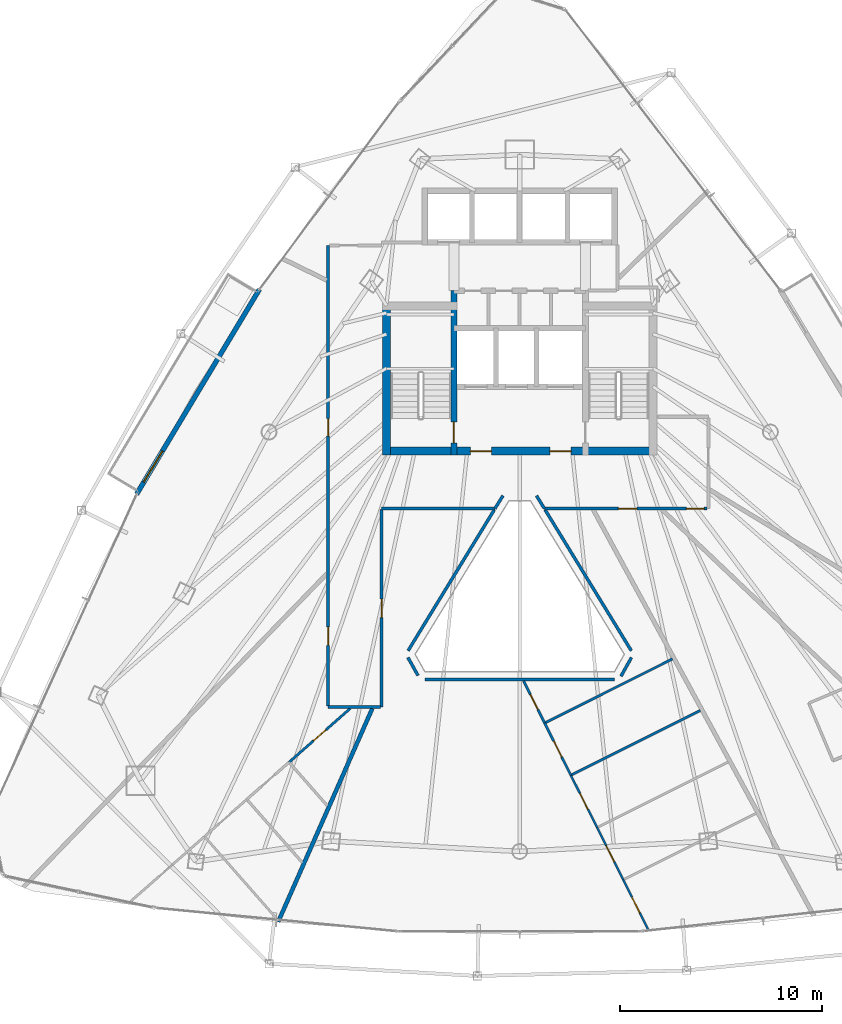
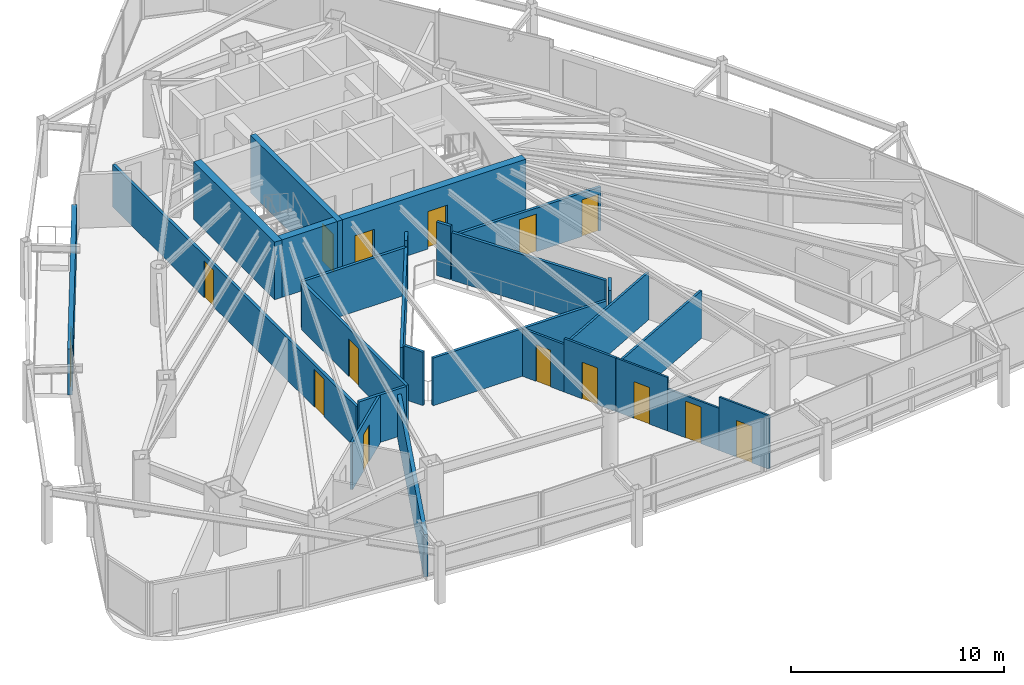
# One storey, part 26 of 31: 25 walls, 15 doors, 15 openings.
"""IFC4 building model written with IfcOpenShell, lengths in metres."""

from ifc_helpers import new_model, si_unit, direction, frame, frame_2d, origin, place, context, subcontext, project, spatial, rectangle, extrude, material, layer, layer_set, type_object, element, fill, save


model = new_model("IFC4")

# Units and contexts
model_context = context("Model", 3, precision=1e-05, world=origin(), true_north=direction((0.0, 1.0)))
body_context = subcontext(model_context, "Body", "Model", "MODEL_VIEW")
ifc_project = project(units=[si_unit("LENGTHUNIT", "METRE"), si_unit("AREAUNIT", "SQUARE_METRE"), si_unit("VOLUMEUNIT", "CUBIC_METRE"), si_unit("PLANEANGLEUNIT", "RADIAN"), si_unit("MASSUNIT", "GRAM", prefix="KILO")], contexts=[model_context])

# Site, building, storey
site_placement = place(None, origin())
site = spatial("IfcSite", under=ifc_project, at=site_placement, CompositionType="ELEMENT")
building_placement = place(site_placement, origin())
building = spatial("IfcBuilding", under=site, at=building_placement, Name="Orvanel Arch Residences", CompositionType="ELEMENT")
storey_placement = place(building_placement, frame((0.0, 0.0, 106.699951171875)))
storey = spatial("IfcBuildingStorey", under=building, at=storey_placement, Name="L29", CompositionType="ELEMENT", Elevation=106.699951171875)

# Wall, opening, door
ifc_material_1 = material(Name="Precast concrete N50 (50 MPa)", Category="concrete")
ifc_layer_1 = layer(ifc_material_1, 0.239990234375)
ifc_layer_set_1 = layer_set([ifc_layer_1], Name="Precast concrete N50 (50 MPa)")
wall_type_1 = type_object("IfcWallType", Name="EW-BAL-240", PredefinedType="SOLIDWALL", material=ifc_layer_set_1)
wall_1_placement = place(storey_placement, frame((20.094970703125, 34.718017578125, 0.0), z_axis=(0.0, 0.0, 1.0), x_axis=(-0.514362369366, -0.857572943242, 0.0)))
wall_1 = element("IfcWall", 1, at=wall_1_placement, inside=storey, type_object=wall_type_1, Name="L29 Balcony Threshold Wall Face 1", PredefinedType="SOLIDWALL", context=body_context, shape_type="SweptSolid", body=[
    extrude(rectangle(XDim=11.84375, YDim=0.239990234375, at=frame_2d((5.921875, 0.0))), origin(), (0.0, 0.0, 1.0), 2.6240234375),
])
opening_1_placement = place(wall_1_placement, frame((9.345947265625, 0.0, 0.0)))
opening_1 = element("IfcOpeningElement", 2, at=opening_1_placement, cuts=wall_1, Name="Opening DB-180", PredefinedType="OPENING", context=body_context, shape_type="SweptSolid", body=[
    extrude(rectangle(XDim=1.800048828125, YDim=2.199951171875, at=frame_2d((0.89990234375, 1.10009765625))), frame((0.0, 0.1298828125, 0.0), z_axis=(0.0, -1.0, 0.0), x_axis=(1.0, 0.0, 0.0)), (0.0, 0.0, 1.0), 0.260009765625),
])
ifc_material_2 = material(Name="Bronze-anodised aluminium AA6063-T6", Category="aluminium")
door_type_1 = type_object("IfcDoorType", Name="DR-BAL-1800", OperationType="NOTDEFINED", PredefinedType="DOOR", material=ifc_material_2)
door_1_placement = place(opening_1_placement, origin())
door_1 = element("IfcDoor", 3, at=door_1_placement, inside=storey, type_object=door_type_1, Name="DR-L29-BAL-F1 L29 Planted Balcony Access Door Face 1", OperationType="SINGLE_SWING_RIGHT", OverallHeight=2.199951171875, OverallWidth=1.800048828125, PredefinedType="DOOR", context=body_context, shape_type="SweptSolid", body=[
    extrude(rectangle(XDim=1.800048828125, YDim=2.199951171875, at=frame_2d((0.89990234375, 1.10009765625))), frame((0.0, 0.02490234375, 0.0), z_axis=(0.0, -1.0, 0.0), x_axis=(1.0, 0.0, 0.0)), (0.0, 0.0, 1.0), 0.050048828125),
])
fill(opening_1, door_1)

ifc_material_3 = material(Name="Concrete S65 (65 MPa)", Category="concrete")
ifc_layer_2 = layer(ifc_material_3, 0.280029296875)
ifc_layer_set_2 = layer_set([ifc_layer_2], Name="Concrete S65 (65 MPa)")
wall_type_2 = type_object("IfcWallType", Name="SW-CORE-280", PredefinedType="SHEAR", material=ifc_layer_set_2)
wall_2_placement = place(storey_placement, frame((29.739990234375, 26.5, 0.0), z_axis=(0.0, 0.0, 1.0), x_axis=(0.0, 1.0, 0.0)))
wall_2 = element("IfcWall", 4, at=wall_2_placement, inside=storey, type_object=wall_type_2, Name="L29 West Inner Core Spine Shear Wall", PredefinedType="SHEAR", context=body_context, shape_type="SweptSolid", body=[
    extrude(rectangle(XDim=8.14990234375, YDim=0.280029296875, at=frame_2d((4.074951171875, 0.0))), origin(), (0.0, 0.0, 1.0), 3.300048828125),
])
opening_2_placement = place(wall_2_placement, frame((0.60009765625, 0.0, 0.0)))
opening_2 = element("IfcOpeningElement", 5, at=opening_2_placement, cuts=wall_2, Name="Opening DF-120", PredefinedType="OPENING", context=body_context, shape_type="SweptSolid", body=[
    extrude(rectangle(XDim=1.050048828125, YDim=2.14990234375, at=frame_2d((0.52490234375, 1.074951171875))), frame((0.0, 0.14990234375, 0.0), z_axis=(0.0, -1.0, 0.0), x_axis=(1.0, 0.0, 0.0)), (0.0, 0.0, 1.0), 0.300048828125),
])
ifc_material_4 = material(Name="Galvanised steel fire-resisting door assembly", Category="steel")
door_type_2 = type_object("IfcDoorType", Name="DR-FD120-1050", OperationType="NOTDEFINED", PredefinedType="DOOR", material=ifc_material_4)
door_2_placement = place(opening_2_placement, origin())
door_2 = element("IfcDoor", 6, at=door_2_placement, inside=storey, type_object=door_type_2, Name="DR-L29-ST1 L29 Stair 1 Fire Door", OperationType="SINGLE_SWING_LEFT", OverallHeight=2.14990234375, OverallWidth=1.050048828125, PredefinedType="DOOR", context=body_context, shape_type="SweptSolid", body=[
    extrude(rectangle(XDim=1.050048828125, YDim=2.14990234375, at=frame_2d((0.52490234375, 1.074951171875))), frame((0.0, 0.02490234375, 0.0), z_axis=(0.0, -1.0, 0.0), x_axis=(1.0, 0.0, 0.0)), (0.0, 0.0, 1.0), 0.050048828125),
])
fill(opening_2, door_2)

# Wall, openings, doors
ifc_layer_3 = layer(ifc_material_3, 0.39990234375)
ifc_layer_set_3 = layer_set([ifc_layer_3], Name="Concrete S65 (65 MPa)")
wall_type_3 = type_object("IfcWallType", Name="SW-CORE-400", PredefinedType="SHEAR", material=ifc_layer_set_3)
wall_3_placement = place(storey_placement, frame((26.199951171875, 26.699951171875, 0.0), z_axis=(0.0, 0.0, 1.0), x_axis=(1.0, 0.0, 0.0)))
wall_3 = element("IfcWall", 7, at=wall_3_placement, inside=storey, type_object=wall_type_3, Name="L29 South Core Shear Wall", PredefinedType="SHEAR", context=body_context, shape_type="SweptSolid", body=[
    extrude(rectangle(XDim=13.60009765625, YDim=0.39990234375, at=frame_2d((6.800048828125, 0.0))), origin(), (0.0, 0.0, 1.0), 3.300048828125),
])
opening_3_placement = place(wall_3_placement, frame((4.35009765625, 0.0, 0.0)))
opening_3 = element("IfcOpeningElement", 8, at=opening_3_placement, cuts=wall_3, Name="Opening DF-060", PredefinedType="OPENING", context=body_context, shape_type="SweptSolid", body=[
    extrude(rectangle(XDim=1.050048828125, YDim=2.14990234375, at=frame_2d((0.52490234375, 1.074951171875))), frame((0.0, 0.2099609375, 0.0), z_axis=(0.0, -1.0, 0.0), x_axis=(1.0, 0.0, 0.0)), (0.0, 0.0, 1.0), 0.419921875),
])
opening_4_placement = place(wall_3_placement, frame((8.300048828125, 0.0, 0.0)))
opening_4 = element("IfcOpeningElement", 9, at=opening_4_placement, cuts=wall_3, Name="Opening DF-060", PredefinedType="OPENING", context=body_context, shape_type="SweptSolid", body=[
    extrude(rectangle(XDim=1.050048828125, YDim=2.14990234375, at=frame_2d((0.52490234375, 1.074951171875))), frame((0.0, 0.2099609375, 0.0), z_axis=(0.0, -1.0, 0.0), x_axis=(1.0, 0.0, 0.0)), (0.0, 0.0, 1.0), 0.419921875),
])
door_type_3 = type_object("IfcDoorType", Name="DR-FD60-1050", OperationType="NOTDEFINED", PredefinedType="DOOR", material=ifc_material_4)
door_3_placement = place(opening_3_placement, origin())
door_3 = element("IfcDoor", 10, at=door_3_placement, inside=storey, type_object=door_type_3, Name="DR-L29-FFL-W L29 West Smoke Lobby Door", OperationType="SINGLE_SWING_LEFT", OverallHeight=2.14990234375, OverallWidth=1.050048828125, PredefinedType="DOOR", context=body_context, shape_type="SweptSolid", body=[
    extrude(rectangle(XDim=1.050048828125, YDim=2.14990234375, at=frame_2d((0.52490234375, 1.074951171875))), frame((0.0, 0.02490234375, 0.0), z_axis=(0.0, -1.0, 0.0), x_axis=(1.0, 0.0, 0.0)), (0.0, 0.0, 1.0), 0.050048828125),
])
fill(opening_3, door_3)
door_4_placement = place(opening_4_placement, origin())
door_4 = element("IfcDoor", 11, at=door_4_placement, inside=storey, type_object=door_type_3, Name="DR-L29-FFL-E L29 East Smoke Lobby Door", OperationType="SINGLE_SWING_RIGHT", OverallHeight=2.14990234375, OverallWidth=1.050048828125, PredefinedType="DOOR", context=body_context, shape_type="SweptSolid", body=[
    extrude(rectangle(XDim=1.050048828125, YDim=2.14990234375, at=frame_2d((0.52490234375, 1.074951171875))), frame((0.0, 0.02490234375, 0.0), z_axis=(0.0, -1.0, 0.0), x_axis=(1.0, 0.0, 0.0)), (0.0, 0.0, 1.0), 0.050048828125),
])
fill(opening_4, door_4)

# Walls
wall_4_placement = place(storey_placement, frame((26.39990234375, 26.5, 0.0), z_axis=(0.0, 0.0, 1.0), x_axis=(0.0, 1.0, 0.0)))
element("IfcWall", 12, at=wall_4_placement, inside=storey, type_object=wall_type_3, Name="L29 West Stair Shear Wall", PredefinedType="SHEAR", context=body_context, shape_type="SweptSolid", body=[
    extrude(rectangle(XDim=7.60009765625, YDim=0.39990234375, at=frame_2d((3.800048828125, 0.0))), origin(), (0.0, 0.0, 1.0), 3.300048828125),
])
ifc_material_5 = material(Name="Fire-rated plasterboard lined steel stud partition", Category="steel")
ifc_layer_4 = layer(ifc_material_5, 0.14990234375)
ifc_layer_set_4 = layer_set([ifc_layer_4], Name="Fire-rated plasterboard lined steel stud partition")
wall_type_4 = type_object("IfcWallType", Name="W-COR-150", PredefinedType="PARTITIONING", material=ifc_layer_set_4)
wall_5_placement = place(storey_placement, frame((32.169921875, 24.487060546875, 0.0), z_axis=(0.0, 0.0, 1.0), x_axis=(-0.527038486816, -0.849841416627, 0.0)))
element("IfcWall", 13, at=wall_5_placement, inside=storey, type_object=wall_type_4, Name="L29 Corridor Fire-Rated Partition", PredefinedType="PARTITIONING", context=body_context, shape_type="SweptSolid", body=[
    extrude(rectangle(XDim=0.74951171875, YDim=0.14990234375, at=frame_2d((0.374755859375, 0.0))), origin(), (0.0, 0.0, 1.0), 3.06005859375),
])
wall_6_placement = place(storey_placement, frame((31.77490234375, 23.85009765625, 0.0), z_axis=(0.0, 0.0, 1.0), x_axis=(-1.0, 0.0, 0.0)))
element("IfcWall", 14, at=wall_6_placement, inside=storey, type_object=wall_type_4, Name="L29 Corridor Fire-Rated Partition", PredefinedType="PARTITIONING", context=body_context, shape_type="SweptSolid", body=[
    extrude(rectangle(XDim=5.625, YDim=0.14990234375, at=frame_2d((2.8125, 0.0))), origin(), (0.0, 0.0, 1.0), 2.720947265625),
])

# Wall, opening, door
wall_7_placement = place(storey_placement, frame((26.14990234375, 23.7900390625, 0.0), z_axis=(0.0, 0.0, 1.0), x_axis=(0.0, -1.0, 0.0)))
wall_7 = element("IfcWall", 15, at=wall_7_placement, inside=storey, type_object=wall_type_4, Name="L29 Corridor Fire-Rated Partition", PredefinedType="PARTITIONING", context=body_context, shape_type="SweptSolid", body=[
    extrude(rectangle(XDim=9.7900390625, YDim=0.14990234375, at=frame_2d((4.89501953125, 0.0))), origin(), (0.0, 0.0, 1.0), 2.720947265625),
])
opening_5_placement = place(wall_7_placement, frame((4.43505859375, 0.0, 0.0)))
opening_5 = element("IfcOpeningElement", 16, at=opening_5_placement, cuts=wall_7, Name="Opening DA-092", PredefinedType="OPENING", context=body_context, shape_type="SweptSolid", body=[
    extrude(rectangle(XDim=0.919921875, YDim=2.14990234375, at=frame_2d((0.4599609375, 1.074951171875))), frame((0.0, 0.0849609375, 0.0), z_axis=(0.0, -1.0, 0.0), x_axis=(1.0, 0.0, 0.0)), (0.0, 0.0, 1.0), 0.169921875),
])
ifc_material_6 = material(Name="Solid-core European oak veneer fire door leaf", Category="wood")
door_type_4 = type_object("IfcDoorType", Name="DR-APT-920", OperationType="NOTDEFINED", PredefinedType="DOOR", material=ifc_material_6)
door_5_placement = place(opening_5_placement, origin())
door_5 = element("IfcDoor", 17, at=door_5_placement, inside=storey, type_object=door_type_4, Name="DR-L29-A-ENT L29 Studio A Entrance Door", OperationType="SINGLE_SWING_RIGHT", OverallHeight=2.14990234375, OverallWidth=0.919921875, PredefinedType="DOOR", context=body_context, shape_type="SweptSolid", body=[
    extrude(rectangle(XDim=0.919921875, YDim=2.14990234375, at=frame_2d((0.4599609375, 1.074951171875))), frame((0.0, 0.02490234375, 0.0), z_axis=(0.0, -1.0, 0.0), x_axis=(1.0, 0.0, 0.0)), (0.0, 0.0, 1.0), 0.050048828125),
])
fill(opening_5, door_5)

# Wall
wall_8_placement = place(storey_placement, frame((26.090087890625, 14.0, 0.0), z_axis=(0.0, 0.0, 1.0), x_axis=(-1.0, 0.0, 0.0)))
element("IfcWall", 18, at=wall_8_placement, inside=storey, type_object=wall_type_4, Name="L29 Corridor Fire-Rated Partition", PredefinedType="PARTITIONING", context=body_context, shape_type="SweptSolid", body=[
    extrude(rectangle(XDim=2.590087890625, YDim=0.14990234375, at=frame_2d((1.294921875, 0.0))), origin(), (0.0, 0.0, 1.0), 2.720947265625),
])

# Wall, openings, doors
wall_9_placement = place(storey_placement, frame((23.5, 14.06005859375, 0.0), z_axis=(0.0, 0.0, 1.0), x_axis=(0.0, 1.0, 0.0)))
wall_9 = element("IfcWall", 19, at=wall_9_placement, inside=storey, type_object=wall_type_4, Name="L29 Corridor Fire-Rated Partition", PredefinedType="PARTITIONING", context=body_context, shape_type="SweptSolid", body=[
    extrude(rectangle(XDim=22.83984375, YDim=0.14990234375, at=frame_2d((11.419921875, 0.0))), origin(), (0.0, 0.0, 1.0), 2.4130859375),
])
opening_6_placement = place(wall_9_placement, frame((13.373046875, 0.0, 0.0)))
opening_6 = element("IfcOpeningElement", 20, at=opening_6_placement, cuts=wall_9, Name="Opening DI-088", PredefinedType="OPENING", context=body_context, shape_type="SweptSolid", body=[
    extrude(rectangle(XDim=0.8798828125, YDim=2.10009765625, at=frame_2d((0.43994140625, 1.050048828125))), frame((0.0, 0.0849609375, 0.0), z_axis=(0.0, -1.0, 0.0), x_axis=(1.0, 0.0, 0.0)), (0.0, 0.0, 1.0), 0.169921875),
])
opening_7_placement = place(wall_9_placement, frame((3.001953125, 0.0, 0.0)))
opening_7 = element("IfcOpeningElement", 21, at=opening_7_placement, cuts=wall_9, Name="Opening DA-092", PredefinedType="OPENING", context=body_context, shape_type="SweptSolid", body=[
    extrude(rectangle(XDim=0.919921875, YDim=2.14990234375, at=frame_2d((0.4599609375, 1.074951171875))), frame((0.0, 0.0849609375, 0.0), z_axis=(0.0, -1.0, 0.0), x_axis=(1.0, 0.0, 0.0)), (0.0, 0.0, 1.0), 0.169921875),
])
door_6_placement = place(opening_7_placement, origin())
door_6 = element("IfcDoor", 22, at=door_6_placement, inside=storey, type_object=door_type_4, Name="DR-L29-E-ENT L29 Flat E Entrance Door", OperationType="SINGLE_SWING_RIGHT", OverallHeight=2.14990234375, OverallWidth=0.919921875, PredefinedType="DOOR", context=body_context, shape_type="SweptSolid", body=[
    extrude(rectangle(XDim=0.919921875, YDim=2.14990234375, at=frame_2d((0.4599609375, 1.074951171875))), frame((0.0, 0.02490234375, 0.0), z_axis=(0.0, -1.0, 0.0), x_axis=(1.0, 0.0, 0.0)), (0.0, 0.0, 1.0), 0.050048828125),
])
fill(opening_7, door_6)
door_type_5 = type_object("IfcDoorType", Name="DR-INT-880", OperationType="NOTDEFINED", PredefinedType="DOOR", material=ifc_material_6)
door_7_placement = place(opening_6_placement, origin())
door_7 = element("IfcDoor", 23, at=door_7_placement, inside=storey, type_object=door_type_5, Name="DR-L29-SHRD-FB2 L29 Co-Working Study Office B Door", OperationType="SINGLE_SWING_LEFT", OverallHeight=2.10009765625, OverallWidth=0.8798828125, PredefinedType="DOOR", context=body_context, shape_type="SweptSolid", body=[
    extrude(rectangle(XDim=0.8798828125, YDim=2.10009765625, at=frame_2d((0.43994140625, 1.050048828125))), frame((0.0, 0.02490234375, 0.0), z_axis=(0.0, -1.0, 0.0), x_axis=(1.0, 0.0, 0.0)), (0.0, 0.0, 1.0), 0.050048828125),
])
fill(opening_6, door_7)

wall_10_placement = place(storey_placement, frame((42.2900390625, 23.85009765625, 0.0), z_axis=(0.0, 0.0, 1.0), x_axis=(-1.0, 0.0, 0.0)))
wall_10 = element("IfcWall", 24, at=wall_10_placement, inside=storey, type_object=wall_type_4, Name="L29 Corridor Fire-Rated Partition", PredefinedType="PARTITIONING", context=body_context, shape_type="SweptSolid", body=[
    extrude(rectangle(XDim=8.06494140625, YDim=0.14990234375, at=frame_2d((4.032470703125, 0.0))), origin(), (0.0, 0.0, 1.0), 2.491943359375),
])
opening_8_placement = place(wall_10_placement, frame((3.47705078125, 0.0, 0.0)))
opening_8 = element("IfcOpeningElement", 25, at=opening_8_placement, cuts=wall_10, Name="Opening DA-092", PredefinedType="OPENING", context=body_context, shape_type="SweptSolid", body=[
    extrude(rectangle(XDim=0.919921875, YDim=2.14990234375, at=frame_2d((0.4599609375, 1.074951171875))), frame((0.0, 0.0849609375, 0.0), z_axis=(0.0, -1.0, 0.0), x_axis=(1.0, 0.0, 0.0)), (0.0, 0.0, 1.0), 0.169921875),
])
opening_9_placement = place(wall_10_placement, frame((0.139892578125, 0.0, 0.0)))
opening_9 = element("IfcOpeningElement", 26, at=opening_9_placement, cuts=wall_10, Name="Opening DI-088", PredefinedType="OPENING", context=body_context, shape_type="SweptSolid", body=[
    extrude(rectangle(XDim=0.8798828125, YDim=2.10009765625, at=frame_2d((0.43994140625, 1.050048828125))), frame((0.0, 0.0849609375, 0.0), z_axis=(0.0, -1.0, 0.0), x_axis=(1.0, 0.0, 0.0)), (0.0, 0.0, 1.0), 0.169921875),
])
door_8_placement = place(opening_8_placement, origin())
door_8 = element("IfcDoor", 27, at=door_8_placement, inside=storey, type_object=door_type_4, Name="DR-L29-C-ENT L29 Studio C Entrance Door", OperationType="SINGLE_SWING_RIGHT", OverallHeight=2.14990234375, OverallWidth=0.919921875, PredefinedType="DOOR", context=body_context, shape_type="SweptSolid", body=[
    extrude(rectangle(XDim=0.919921875, YDim=2.14990234375, at=frame_2d((0.4599609375, 1.074951171875))), frame((0.0, 0.02490234375, 0.0), z_axis=(0.0, -1.0, 0.0), x_axis=(1.0, 0.0, 0.0)), (0.0, 0.0, 1.0), 0.050048828125),
])
fill(opening_8, door_8)
door_9_placement = place(opening_9_placement, origin())
door_9 = element("IfcDoor", 28, at=door_9_placement, inside=storey, type_object=door_type_5, Name="DR-L29-SHRD-FB7 L29 Co-Working Study Office G Door", OperationType="SINGLE_SWING_LEFT", OverallHeight=2.10009765625, OverallWidth=0.8798828125, PredefinedType="DOOR", context=body_context, shape_type="SweptSolid", body=[
    extrude(rectangle(XDim=0.8798828125, YDim=2.10009765625, at=frame_2d((0.43994140625, 1.050048828125))), frame((0.0, 0.02490234375, 0.0), z_axis=(0.0, -1.0, 0.0), x_axis=(1.0, 0.0, 0.0)), (0.0, 0.0, 1.0), 0.050048828125),
])
fill(opening_9, door_9)

# Walls
wall_11_placement = place(storey_placement, frame((34.22509765625, 23.85107421875, 0.0), z_axis=(0.0, 0.0, 1.0), x_axis=(-0.527622593928, 0.849478898135, 0.0)))
element("IfcWall", 29, at=wall_11_placement, inside=storey, type_object=wall_type_4, Name="L29 Corridor Fire-Rated Partition", PredefinedType="PARTITIONING", context=body_context, shape_type="SweptSolid", body=[
    extrude(rectangle(XDim=0.748779296875, YDim=0.14990234375, at=frame_2d((0.37451171875, 0.0))), origin(), (0.0, 0.0, 1.0), 3.06005859375),
])
wall_12_placement = place(storey_placement, frame((34.257080078125, 23.7900390625, 0.0), z_axis=(0.0, 0.0, 1.0), x_axis=(0.521839061235, -0.853043957935, 0.0)))
element("IfcWall", 30, at=wall_12_placement, inside=storey, type_object=wall_type_4, Name="L29 Atrium Overlook Glazed Partition", PredefinedType="PARTITIONING", context=body_context, shape_type="SweptSolid", body=[
    extrude(rectangle(XDim=8.197509765625, YDim=0.14990234375, at=frame_2d((4.0986328125, 0.0))), origin(), (0.0, 0.0, 1.0), 2.720947265625),
])
wall_13_placement = place(storey_placement, frame((38.541015625, 16.4609375, 0.0), z_axis=(0.0, 0.0, 1.0), x_axis=(-0.488631416095, -0.872490308946, 0.0)))
element("IfcWall", 31, at=wall_13_placement, inside=storey, type_object=wall_type_4, Name="L29 Atrium Overlook Glazed Partition", PredefinedType="PARTITIONING", context=body_context, shape_type="SweptSolid", body=[
    extrude(rectangle(XDim=1.060302734375, YDim=0.14990234375, at=frame_2d((0.5302734375, 0.0))), origin(), (0.0, 0.0, 1.0), 3.06005859375),
])
wall_14_placement = place(storey_placement, frame((37.694091796875, 15.364013671875, 0.0), z_axis=(0.0, 0.0, 1.0), x_axis=(-1.0, 0.0, 0.0)))
element("IfcWall", 32, at=wall_14_placement, inside=storey, type_object=wall_type_4, Name="L29 Atrium Overlook Glazed Partition", PredefinedType="PARTITIONING", context=body_context, shape_type="SweptSolid", body=[
    extrude(rectangle(XDim=9.38818359375, YDim=0.14990234375, at=frame_2d((4.694091796875, 0.0))), origin(), (0.0, 0.0, 1.0), 2.720947265625),
])
wall_15_placement = place(storey_placement, frame((27.95703125, 15.568115234375, 0.0), z_axis=(0.0, 0.0, 1.0), x_axis=(-0.487162890713, 0.873311123204, 0.0)))
element("IfcWall", 33, at=wall_15_placement, inside=storey, type_object=wall_type_4, Name="L29 Atrium Overlook Glazed Partition", PredefinedType="PARTITIONING", context=body_context, shape_type="SweptSolid", body=[
    extrude(rectangle(XDim=1.0224609375, YDim=0.14990234375, at=frame_2d((0.51123046875, 0.0))), origin(), (0.0, 0.0, 1.0), 3.06005859375),
])
wall_16_placement = place(storey_placement, frame((27.465087890625, 16.797119140625, 0.0), z_axis=(0.0, 0.0, 1.0), x_axis=(0.521839061235, 0.853043957935, 0.0)))
element("IfcWall", 34, at=wall_16_placement, inside=storey, type_object=wall_type_4, Name="L29 Atrium Overlook Glazed Partition", PredefinedType="PARTITIONING", context=body_context, shape_type="SweptSolid", body=[
    extrude(rectangle(XDim=8.197509765625, YDim=0.14990234375, at=frame_2d((4.0986328125, 0.0))), origin(), (0.0, 0.0, 1.0), 2.720947265625),
])
ifc_layer_5 = layer(ifc_material_5, 0.199951171875)
ifc_layer_set_5 = layer_set([ifc_layer_5], Name="Fire-rated plasterboard lined steel stud partition")
wall_type_5 = type_object("IfcWallType", Name="W-DEM-200", PredefinedType="PARTITIONING", material=ifc_layer_set_5)
wall_17_placement = place(storey_placement, frame((21.02392578125, 3.35302734375, 0.0), z_axis=(0.0, 0.0, 1.0), x_axis=(0.403601766718, 0.914934759369, 0.0)))
element("IfcWall", 35, at=wall_17_placement, inside=storey, type_object=wall_type_5, Name="L29 Inter-Tenancy Acoustic Demising Wall", PredefinedType="PARTITIONING", context=body_context, shape_type="SweptSolid", body=[
    extrude(rectangle(XDim=11.5712890625, YDim=0.199951171875, at=frame_2d((5.78564453125, 0.0))), origin(), (0.0, 0.0, 1.0), 2.4130859375),
])

# Wall, opening, door
ifc_material_7 = material(Name="Acoustic plasterboard lined twin-stud partition", Category="gypsum")
ifc_layer_6 = layer(ifc_material_7, 0.10009765625)
ifc_layer_set_6 = layer_set([ifc_layer_6], Name="Acoustic plasterboard lined twin-stud partition")
wall_type_6 = type_object("IfcWallType", Name="W-INT-100", PredefinedType="PARTITIONING", material=ifc_layer_set_6)
wall_18_placement = place(storey_placement, frame((38.134033203125, 5.43701171875, 0.0), z_axis=(0.0, 0.0, 1.0), x_axis=(0.447768773835, -0.894149386388, 0.0)))
wall_18 = element("IfcWall", 36, at=wall_18_placement, inside=storey, type_object=wall_type_6, Name="L29 Studio A Internal Partition", PredefinedType="PARTITIONING", context=body_context, shape_type="SweptSolid", body=[
    extrude(rectangle(XDim=2.81396484375, YDim=0.10009765625, at=frame_2d((1.406982421875, 0.0))), origin(), (0.0, 0.0, 1.0), 3.06005859375),
])
opening_10_placement = place(wall_18_placement, frame((0.967041015625, 0.0, 0.0)))
opening_10 = element("IfcOpeningElement", 37, at=opening_10_placement, cuts=wall_18, Name="Opening DI-088", PredefinedType="OPENING", context=body_context, shape_type="SweptSolid", body=[
    extrude(rectangle(XDim=0.8798828125, YDim=2.10009765625, at=frame_2d((0.43994140625, 1.050048828125))), frame((0.0, 0.06005859375, 0.0), z_axis=(0.0, -1.0, 0.0), x_axis=(1.0, 0.0, 0.0)), (0.0, 0.0, 1.0), 0.1201171875),
])
door_10_placement = place(opening_10_placement, origin())
door_10 = element("IfcDoor", 38, at=door_10_placement, inside=storey, type_object=door_type_5, Name="DR-L29-A-WRD1 L29 Studio A Walk-In Wardrobe 1 Door", OperationType="SINGLE_SWING_LEFT", OverallHeight=2.10009765625, OverallWidth=0.8798828125, PredefinedType="DOOR", context=body_context, shape_type="SweptSolid", body=[
    extrude(rectangle(XDim=0.8798828125, YDim=2.10009765625, at=frame_2d((0.43994140625, 1.050048828125))), frame((0.0, 0.02490234375, 0.0), z_axis=(0.0, -1.0, 0.0), x_axis=(1.0, 0.0, 0.0)), (0.0, 0.0, 1.0), 0.050048828125),
])
fill(opening_10, door_10)

wall_19_placement = place(storey_placement, frame((36.8359375, 8.030029296875, 0.0), z_axis=(0.0, 0.0, 1.0), x_axis=(0.447651342751, -0.894208183441, 0.0)))
wall_19 = element("IfcWall", 39, at=wall_19_placement, inside=storey, type_object=wall_type_6, Name="L29 Studio A Internal Partition", PredefinedType="PARTITIONING", context=body_context, shape_type="SweptSolid", body=[
    extrude(rectangle(XDim=2.89990234375, YDim=0.10009765625, at=frame_2d((1.449951171875, 0.0))), origin(), (0.0, 0.0, 1.0), 2.4130859375),
])
opening_11_placement = place(wall_19_placement, frame((1.010009765625, 0.0, 0.0)))
opening_11 = element("IfcOpeningElement", 40, at=opening_11_placement, cuts=wall_19, Name="Opening DI-088", PredefinedType="OPENING", context=body_context, shape_type="SweptSolid", body=[
    extrude(rectangle(XDim=0.8798828125, YDim=2.10009765625, at=frame_2d((0.43994140625, 1.050048828125))), frame((0.0, 0.06005859375, 0.0), z_axis=(0.0, -1.0, 0.0), x_axis=(1.0, 0.0, 0.0)), (0.0, 0.0, 1.0), 0.1201171875),
])
door_11_placement = place(opening_11_placement, origin())
door_11 = element("IfcDoor", 41, at=door_11_placement, inside=storey, type_object=door_type_5, Name="DR-L29-A-WRD2 L29 Studio A Walk-In Wardrobe 2 Door", OperationType="SINGLE_SWING_LEFT", OverallHeight=2.10009765625, OverallWidth=0.8798828125, PredefinedType="DOOR", context=body_context, shape_type="SweptSolid", body=[
    extrude(rectangle(XDim=0.8798828125, YDim=2.10009765625, at=frame_2d((0.43994140625, 1.050048828125))), frame((0.0, 0.02490234375, 0.0), z_axis=(0.0, -1.0, 0.0), x_axis=(1.0, 0.0, 0.0)), (0.0, 0.0, 1.0), 0.050048828125),
])
fill(opening_11, door_11)

wall_20_placement = place(storey_placement, frame((35.537109375, 10.623046875, 0.0), z_axis=(0.0, 0.0, 1.0), x_axis=(0.447853271476, -0.894107066983, 0.0)))
wall_20 = element("IfcWall", 42, at=wall_20_placement, inside=storey, type_object=wall_type_6, Name="L29 Studio A Internal Partition", PredefinedType="PARTITIONING", context=body_context, shape_type="SweptSolid", body=[
    extrude(rectangle(XDim=2.900146484375, YDim=0.10009765625, at=frame_2d((1.4501953125, 0.0))), origin(), (0.0, 0.0, 1.0), 3.06005859375),
])
opening_12_placement = place(wall_20_placement, frame((1.010009765625, 0.0, 0.0)))
opening_12 = element("IfcOpeningElement", 43, at=opening_12_placement, cuts=wall_20, Name="Opening DI-088", PredefinedType="OPENING", context=body_context, shape_type="SweptSolid", body=[
    extrude(rectangle(XDim=0.8798828125, YDim=2.10009765625, at=frame_2d((0.43994140625, 1.050048828125))), frame((0.0, 0.06005859375, 0.0), z_axis=(0.0, -1.0, 0.0), x_axis=(1.0, 0.0, 0.0)), (0.0, 0.0, 1.0), 0.1201171875),
])
door_12_placement = place(opening_12_placement, origin())
door_12 = element("IfcDoor", 44, at=door_12_placement, inside=storey, type_object=door_type_5, Name="DR-L29-A-DIN3 L29 Studio A Dining Room 3 Door", OperationType="SINGLE_SWING_LEFT", OverallHeight=2.10009765625, OverallWidth=0.8798828125, PredefinedType="DOOR", context=body_context, shape_type="SweptSolid", body=[
    extrude(rectangle(XDim=0.8798828125, YDim=2.10009765625, at=frame_2d((0.43994140625, 1.050048828125))), frame((0.0, 0.02490234375, 0.0), z_axis=(0.0, -1.0, 0.0), x_axis=(1.0, 0.0, 0.0)), (0.0, 0.0, 1.0), 0.050048828125),
])
fill(opening_12, door_12)

ifc_layer_7 = layer(ifc_material_7, 0.1201171875)
ifc_layer_set_7 = layer_set([ifc_layer_7], Name="Acoustic plasterboard lined twin-stud partition")
wall_type_7 = type_object("IfcWallType", Name="W-WET-120", PredefinedType="PARTITIONING", material=ifc_layer_set_7)
wall_21_placement = place(storey_placement, frame((33.194091796875, 15.303955078125, 0.0), z_axis=(0.0, 0.0, 1.0), x_axis=(0.447548179666, -0.894259820677, 0.0)))
wall_21 = element("IfcWall", 45, at=wall_21_placement, inside=storey, type_object=wall_type_7, Name="L29 Studio A Bathroom Partition", PredefinedType="PARTITIONING", context=body_context, shape_type="SweptSolid", body=[
    extrude(rectangle(XDim=2.334716796875, YDim=0.1201171875, at=frame_2d((1.16748046875, 0.0))), origin(), (0.0, 0.0, 1.0), 2.720947265625),
])
opening_13_placement = place(wall_21_placement, frame((0.757080078125, 0.0, 0.0)))
opening_13 = element("IfcOpeningElement", 46, at=opening_13_placement, cuts=wall_21, Name="Opening DW-082", PredefinedType="OPENING", context=body_context, shape_type="SweptSolid", body=[
    extrude(rectangle(XDim=0.820068359375, YDim=2.10009765625, at=frame_2d((0.41015625, 1.050048828125))), frame((0.0, 0.070068359375, 0.0), z_axis=(0.0, -1.0, 0.0), x_axis=(1.0, 0.0, 0.0)), (0.0, 0.0, 1.0), 0.14013671875),
])
door_type_6 = type_object("IfcDoorType", Name="DR-WET-820", OperationType="NOTDEFINED", PredefinedType="DOOR", material=ifc_material_6)
door_13_placement = place(opening_13_placement, origin())
door_13 = element("IfcDoor", 47, at=door_13_placement, inside=storey, type_object=door_type_6, Name="DR-L29-A-BATH L29 Studio A Bathroom Door", OperationType="SINGLE_SWING_RIGHT", OverallHeight=2.10009765625, OverallWidth=0.820068359375, PredefinedType="DOOR", context=body_context, shape_type="SweptSolid", body=[
    extrude(rectangle(XDim=0.820068359375, YDim=2.10009765625, at=frame_2d((0.41015625, 1.050048828125))), frame((0.0, 0.02490234375, 0.0), z_axis=(0.0, -1.0, 0.0), x_axis=(1.0, 0.0, 0.0)), (0.0, 0.0, 1.0), 0.050048828125),
])
fill(opening_13, door_13)

wall_22_placement = place(storey_placement, frame((34.239013671875, 13.216064453125, 0.0), z_axis=(0.0, 0.0, 1.0), x_axis=(0.447651342751, -0.894208183441, 0.0)))
wall_22 = element("IfcWall", 48, at=wall_22_placement, inside=storey, type_object=wall_type_7, Name="L29 Studio A Internal Partition", PredefinedType="PARTITIONING", context=body_context, shape_type="SweptSolid", body=[
    extrude(rectangle(XDim=2.89990234375, YDim=0.1201171875, at=frame_2d((1.449951171875, 0.0))), origin(), (0.0, 0.0, 1.0), 3.06005859375),
])
opening_14_placement = place(wall_22_placement, frame((1.010009765625, 0.0, 0.0)))
opening_14 = element("IfcOpeningElement", 49, at=opening_14_placement, cuts=wall_22, Name="Opening DI-088", PredefinedType="OPENING", context=body_context, shape_type="SweptSolid", body=[
    extrude(rectangle(XDim=0.8798828125, YDim=2.10009765625, at=frame_2d((0.43994140625, 1.050048828125))), frame((0.0, 0.070068359375, 0.0), z_axis=(0.0, -1.0, 0.0), x_axis=(1.0, 0.0, 0.0)), (0.0, 0.0, 1.0), 0.14013671875),
])
door_14_placement = place(opening_14_placement, origin())
door_14 = element("IfcDoor", 50, at=door_14_placement, inside=storey, type_object=door_type_5, Name="DR-L29-A-KIT L29 Studio A Kitchenette Door", OperationType="SINGLE_SWING_LEFT", OverallHeight=2.10009765625, OverallWidth=0.8798828125, PredefinedType="DOOR", context=body_context, shape_type="SweptSolid", body=[
    extrude(rectangle(XDim=0.8798828125, YDim=2.10009765625, at=frame_2d((0.43994140625, 1.050048828125))), frame((0.0, 0.02490234375, 0.0), z_axis=(0.0, -1.0, 0.0), x_axis=(1.0, 0.0, 0.0)), (0.0, 0.0, 1.0), 0.050048828125),
])
fill(opening_14, door_14)

# Walls
wall_23_placement = place(storey_placement, frame((40.572021484375, 16.386962890625, 0.0), z_axis=(0.0, 0.0, 1.0), x_axis=(-0.894178861749, -0.447709909653, 0.0)))
element("IfcWall", 51, at=wall_23_placement, inside=storey, type_object=wall_type_7, Name="L29 Studio A Bathroom Partition", PredefinedType="PARTITIONING", context=body_context, shape_type="SweptSolid", body=[
    extrude(rectangle(XDim=7.08251953125, YDim=0.1201171875, at=frame_2d((3.541259765625, 0.0))), origin(), (0.0, 0.0, 1.0), 2.720947265625),
])
wall_24_placement = place(storey_placement, frame((41.95703125, 13.8369140625, 0.0), z_axis=(0.0, 0.0, 1.0), x_axis=(-0.894209449688, -0.447648813344, 0.0)))
element("IfcWall", 52, at=wall_24_placement, inside=storey, type_object=wall_type_7, Name="L29 Studio A Internal Partition", PredefinedType="PARTITIONING", context=body_context, shape_type="SweptSolid", body=[
    extrude(rectangle(XDim=7.179443359375, YDim=0.1201171875, at=frame_2d((3.58984375, 0.0))), origin(), (0.0, 0.0, 1.0), 2.720947265625),
])

# Wall, opening, door
wall_25_placement = place(storey_placement, frame((24.60400390625, 13.93994140625, 0.0), z_axis=(0.0, 0.0, 1.0), x_axis=(-0.751349767919, -0.659904179595, 0.0)))
wall_25 = element("IfcWall", 53, at=wall_25_placement, inside=storey, type_object=wall_type_7, Name="L29 Flat E Bathroom Partition", PredefinedType="PARTITIONING", context=body_context, shape_type="SweptSolid", body=[
    extrude(rectangle(XDim=4.04736328125, YDim=0.1201171875, at=frame_2d((2.023681640625, 0.0))), origin(), (0.0, 0.0, 1.0), 2.720947265625),
])
opening_15_placement = place(wall_25_placement, frame((1.614013671875, 0.0, 0.0)))
opening_15 = element("IfcOpeningElement", 54, at=opening_15_placement, cuts=wall_25, Name="Opening DW-082", PredefinedType="OPENING", context=body_context, shape_type="SweptSolid", body=[
    extrude(rectangle(XDim=0.820068359375, YDim=2.10009765625, at=frame_2d((0.41015625, 1.050048828125))), frame((0.0, 0.070068359375, 0.0), z_axis=(0.0, -1.0, 0.0), x_axis=(1.0, 0.0, 0.0)), (0.0, 0.0, 1.0), 0.14013671875),
])
door_15_placement = place(opening_15_placement, origin())
door_15 = element("IfcDoor", 55, at=door_15_placement, inside=storey, type_object=door_type_6, Name="DR-L29-E-BATH L29 Flat E Bathroom Door", OperationType="SINGLE_SWING_RIGHT", OverallHeight=2.10009765625, OverallWidth=0.820068359375, PredefinedType="DOOR", context=body_context, shape_type="SweptSolid", body=[
    extrude(rectangle(XDim=0.820068359375, YDim=2.10009765625, at=frame_2d((0.41015625, 1.050048828125))), frame((0.0, 0.02490234375, 0.0), z_axis=(0.0, -1.0, 0.0), x_axis=(1.0, 0.0, 0.0)), (0.0, 0.0, 1.0), 0.050048828125),
])
fill(opening_15, door_15)

save(model, "model.ifc")
